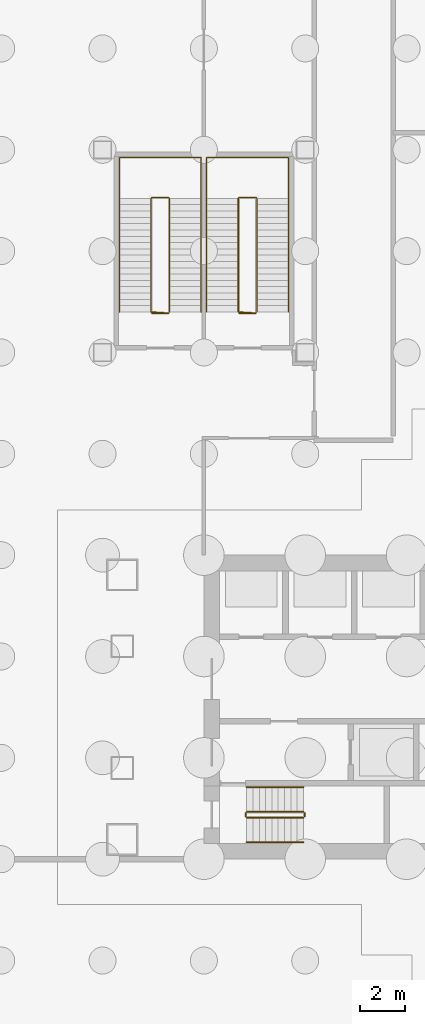
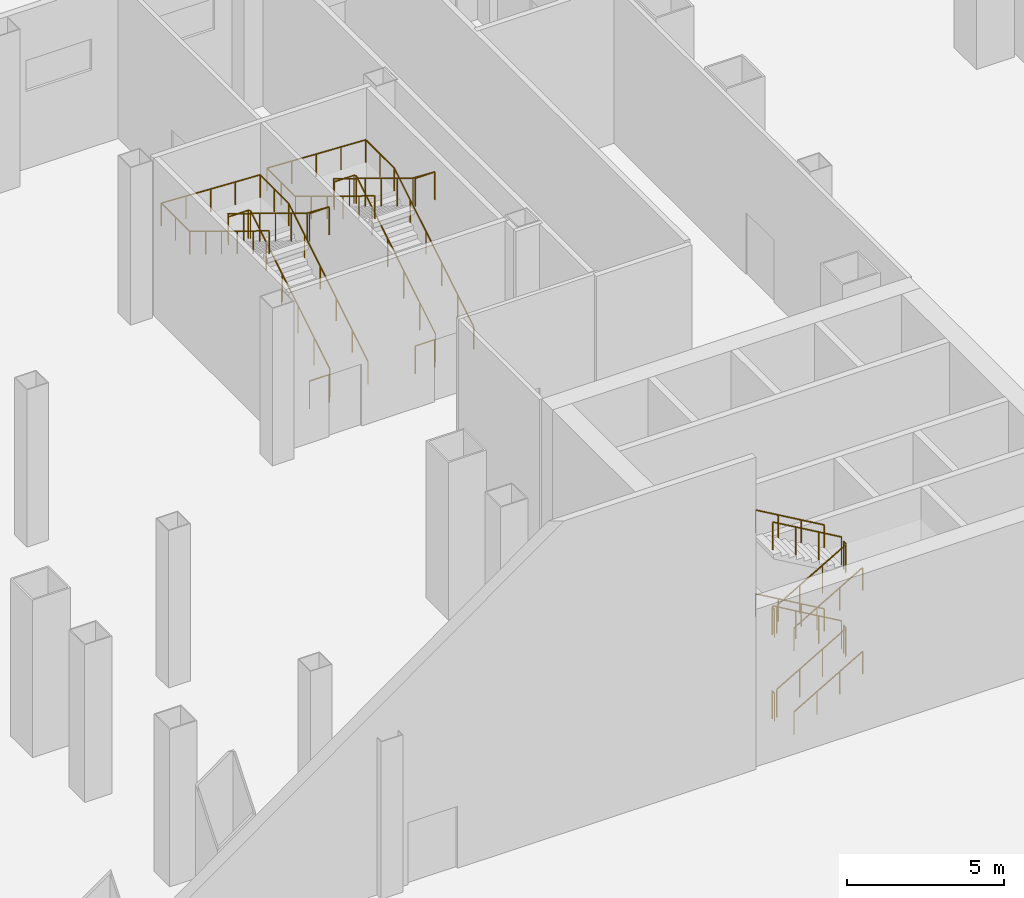
# One storey, part 34 of 37: 18 railings.
"""IFC4 building model written with IfcOpenShell, lengths in metres."""

from ifc_helpers import new_model, si_unit, direction, frame, origin, origin_2d, place, context, subcontext, project, spatial, circle, extrude, material, type_object, element, save


model = new_model("IFC4")

# Units and contexts
model_context = context("Model", 3, precision=1e-05, world=origin(), true_north=direction((0.0, 1.0)))
body_context = subcontext(model_context, "Body", "Model", "MODEL_VIEW")
ifc_project = project(units=[si_unit("LENGTHUNIT", "METRE"), si_unit("AREAUNIT", "SQUARE_METRE"), si_unit("VOLUMEUNIT", "CUBIC_METRE"), si_unit("PLANEANGLEUNIT", "RADIAN"), si_unit("MASSUNIT", "GRAM", prefix="KILO")], contexts=[model_context])

# Site, building, storey
site_placement = place(None, origin())
site = spatial("IfcSite", under=ifc_project, at=site_placement, CompositionType="ELEMENT")
building_placement = place(site_placement, origin())
building = spatial("IfcBuilding", under=site, at=building_placement, Name="Shamsa Quay Exchange Towers", CompositionType="ELEMENT")
storey_placement = place(building_placement, origin())
storey = spatial("IfcBuildingStorey", under=building, at=storey_placement, Name="L00", CompositionType="ELEMENT", Elevation=0.0)

# Railings
ifc_material = material(Name="Stainless steel", Category="steel")
railing_type_1 = type_object("IfcRailingType", Name="STAIR GUARD 1100", PredefinedType="GUARDRAIL", material=ifc_material)
railing_1_placement = place(storey_placement, frame((15.39990234375, -4.89990234375, 0.16259765625)))
element("IfcRailing", 1, at=railing_1_placement, inside=storey, type_object=railing_type_1, Name="L00 ST4 stair guard 1", PredefinedType="GUARDRAIL", context=body_context, shape_type="SweptSolid", body=[
    extrude(circle(Radius=0.02392578125, at=origin_2d()), frame((0.0, 0.0, 1.076171875), z_axis=(0.864913338283, 0.0, 0.50192122615), x_axis=(0.0, 1.0, 0.0)), (0.0, 0.0, 1.0), 2.91357421875),
    extrude(circle(Radius=0.02099609375, at=origin_2d()), origin(), (0.0, 0.0, 1.0), 1.052001953125),
    extrude(circle(Radius=0.02099609375, at=origin_2d()), frame((0.840087890625, 0.0, 0.487548828125)), (0.0, 0.0, 1.0), 1.052001953125),
    extrude(circle(Radius=0.02099609375, at=origin_2d()), frame((1.679931640625, 0.0, 0.974853515625)), (0.0, 0.0, 1.0), 1.052001953125),
    extrude(circle(Radius=0.02099609375, at=origin_2d()), frame((2.52001953125, 0.0, 1.46240234375)), (0.0, 0.0, 1.0), 1.052001953125),
])
railing_2_placement = place(storey_placement, frame((17.969970703125, -4.85009765625, 1.625)))
element("IfcRailing", 2, at=railing_2_placement, inside=storey, type_object=railing_type_1, Name="L00 ST4 stair guard 2", PredefinedType="GUARDRAIL", context=body_context, shape_type="SweptSolid", body=[
    extrude(circle(Radius=0.02392578125, at=origin_2d()), frame((0.0, 0.0, 1.076171875), z_axis=(0.0, 1.0, 0.0), x_axis=(-1.0, 0.0, 0.0)), (0.0, 0.0, 1.0), 0.150146484375),
    extrude(circle(Radius=0.02099609375, at=origin_2d()), origin(), (0.0, 0.0, 1.0), 1.052001953125),
    extrude(circle(Radius=0.02099609375, at=origin_2d()), frame((0.0, 0.150146484375, 0.0)), (0.0, 0.0, 1.0), 1.052001953125),
])
railing_3_placement = place(storey_placement, frame((17.919921875, -4.64990234375, 1.78759765625)))
element("IfcRailing", 3, at=railing_3_placement, inside=storey, type_object=railing_type_1, Name="L00 ST4 stair guard 3", PredefinedType="GUARDRAIL", context=body_context, shape_type="SweptSolid", body=[
    extrude(circle(Radius=0.02392578125, at=origin_2d()), frame((0.0, 0.0, 1.076171875), z_axis=(-0.864913338283, 0.0, 0.50192122615), x_axis=(0.0, -1.0, 0.0)), (0.0, 0.0, 1.0), 2.91357421875),
    extrude(circle(Radius=0.02099609375, at=origin_2d()), origin(), (0.0, 0.0, 1.0), 1.052001953125),
    extrude(circle(Radius=0.02099609375, at=origin_2d()), frame((-0.840087890625, 0.0, 0.487548828125)), (0.0, 0.0, 1.0), 1.052001953125),
    extrude(circle(Radius=0.02099609375, at=origin_2d()), frame((-1.679931640625, 0.0, 0.974853515625)), (0.0, 0.0, 1.0), 1.052001953125),
    extrude(circle(Radius=0.02099609375, at=origin_2d()), frame((-2.52001953125, 0.0, 1.46240234375)), (0.0, 0.0, 1.0), 1.052001953125),
])
railing_4_placement = place(storey_placement, frame((15.35009765625, -4.85009765625, 3.25)))
element("IfcRailing", 4, at=railing_4_placement, inside=storey, type_object=railing_type_1, Name="L00 ST4 stair guard 4", PredefinedType="GUARDRAIL", context=body_context, shape_type="SweptSolid", body=[
    extrude(circle(Radius=0.02392578125, at=origin_2d()), frame((0.0, 0.0, 1.076171875), z_axis=(0.0, 1.0, 0.0), x_axis=(-1.0, 0.0, 0.0)), (0.0, 0.0, 1.0), 0.150146484375),
    extrude(circle(Radius=0.02099609375, at=origin_2d()), origin(), (0.0, 0.0, 1.0), 1.052001953125),
    extrude(circle(Radius=0.02099609375, at=origin_2d()), frame((0.0, 0.150146484375, 0.0)), (0.0, 0.0, 1.0), 1.052001953125),
])
railing_5_placement = place(storey_placement, frame((15.39990234375, -4.89990234375, 3.41259765625)))
element("IfcRailing", 5, at=railing_5_placement, inside=storey, type_object=railing_type_1, Name="L00 ST4 stair guard 5", PredefinedType="GUARDRAIL", context=body_context, shape_type="SweptSolid", body=[
    extrude(circle(Radius=0.02392578125, at=origin_2d()), frame((0.0, 0.0, 1.076171875), z_axis=(0.864913338283, 0.0, 0.50192122615), x_axis=(0.0, 1.0, 0.0)), (0.0, 0.0, 1.0), 2.91357421875),
    extrude(circle(Radius=0.02099609375, at=origin_2d()), origin(), (0.0, 0.0, 1.0), 1.052001953125),
    extrude(circle(Radius=0.02099609375, at=origin_2d()), frame((0.840087890625, 0.0, 0.487548828125)), (0.0, 0.0, 1.0), 1.052001953125),
    extrude(circle(Radius=0.02099609375, at=origin_2d()), frame((1.679931640625, 0.0, 0.974853515625)), (0.0, 0.0, 1.0), 1.052001953125),
    extrude(circle(Radius=0.02099609375, at=origin_2d()), frame((2.52001953125, 0.0, 1.46240234375)), (0.0, 0.0, 1.0), 1.052001953125),
])
railing_6_placement = place(storey_placement, frame((17.969970703125, -4.85009765625, 4.875)))
element("IfcRailing", 6, at=railing_6_placement, inside=storey, type_object=railing_type_1, Name="L00 ST4 stair guard 6", PredefinedType="GUARDRAIL", context=body_context, shape_type="SweptSolid", body=[
    extrude(circle(Radius=0.02392578125, at=origin_2d()), frame((0.0, 0.0, 1.076171875), z_axis=(0.0, 1.0, 0.0), x_axis=(-1.0, 0.0, 0.0)), (0.0, 0.0, 1.0), 0.150146484375),
    extrude(circle(Radius=0.02099609375, at=origin_2d()), origin(), (0.0, 0.0, 1.0), 1.052001953125),
    extrude(circle(Radius=0.02099609375, at=origin_2d()), frame((0.0, 0.150146484375, 0.0)), (0.0, 0.0, 1.0), 1.052001953125),
])
railing_7_placement = place(storey_placement, frame((17.919921875, -4.64990234375, 5.03759765625)))
element("IfcRailing", 7, at=railing_7_placement, inside=storey, type_object=railing_type_1, Name="L00 ST4 stair guard 7", PredefinedType="GUARDRAIL", context=body_context, shape_type="SweptSolid", body=[
    extrude(circle(Radius=0.02392578125, at=origin_2d()), frame((0.0, 0.0, 1.076171875), z_axis=(-0.864913338283, 0.0, 0.50192122615), x_axis=(0.0, -1.0, 0.0)), (0.0, 0.0, 1.0), 2.91357421875),
    extrude(circle(Radius=0.02099609375, at=origin_2d()), origin(), (0.0, 0.0, 1.0), 1.052001953125),
    extrude(circle(Radius=0.02099609375, at=origin_2d()), frame((-0.840087890625, 0.0, 0.487548828125)), (0.0, 0.0, 1.0), 1.052001953125),
    extrude(circle(Radius=0.02099609375, at=origin_2d()), frame((-1.679931640625, 0.0, 0.974853515625)), (0.0, 0.0, 1.0), 1.052001953125),
    extrude(circle(Radius=0.02099609375, at=origin_2d()), frame((-2.52001953125, 0.0, 1.46240234375)), (0.0, 0.0, 1.0), 1.052001953125),
])
railing_8_placement = place(storey_placement, frame((15.35009765625, -4.85009765625, 0.0)))
element("IfcRailing", 8, at=railing_8_placement, inside=storey, type_object=railing_type_1, Name="L00 ST4 stair guard 8", PredefinedType="GUARDRAIL", context=body_context, shape_type="SweptSolid", body=[
    extrude(circle(Radius=0.02392578125, at=origin_2d()), frame((0.0, 0.0, 1.076171875), z_axis=(0.0, 1.0, 0.0), x_axis=(-1.0, 0.0, 0.0)), (0.0, 0.0, 1.0), 0.150146484375),
    extrude(circle(Radius=0.02099609375, at=origin_2d()), origin(), (0.0, 0.0, 1.0), 1.052001953125),
    extrude(circle(Radius=0.02099609375, at=origin_2d()), frame((0.0, 0.150146484375, 0.0)), (0.0, 0.0, 1.0), 1.052001953125),
])
railing_9_placement = place(storey_placement, frame((11.97509765625, 17.550048828125, 0.171142578125)))
element("IfcRailing", 9, at=railing_9_placement, inside=storey, type_object=railing_type_1, Name="L00 PS3A stair guard 1", PredefinedType="GUARDRAIL", context=body_context, shape_type="SweptSolid", body=[
    extrude(circle(Radius=0.02392578125, at=origin_2d()), frame((0.0, 0.0, 1.076171875), z_axis=(0.0, 0.853369698388, 0.521306203564), x_axis=(-1.0, 0.0, 0.0)), (0.0, 0.0, 1.0), 5.906005859375),
    extrude(circle(Radius=0.02392578125, at=origin_2d()), frame((0.0, 5.0400390625, 4.15478515625), z_axis=(-0.708833529934, 0.705375805398, 0.0), x_axis=(-0.705375805398, -0.708833529934, 0.0)), (0.0, 0.0, 1.0), 0.070556640625),
    extrude(circle(Radius=0.02392578125, at=origin_2d()), frame((-0.050048828125, 5.08984375, 4.15478515625), z_axis=(-1.0, 0.0, 0.0), x_axis=(0.0, -1.0, 0.0)), (0.0, 0.0, 1.0), 0.72509765625),
    extrude(circle(Radius=0.02392578125, at=origin_2d()), frame((-0.775146484375, 5.08984375, 4.15478515625), z_axis=(-0.270336121127, -0.269017408341, 0.924417662977), x_axis=(0.705375805398, -0.708833529934, 0.0)), (0.0, 0.0, 1.0), 0.18505859375),
    extrude(circle(Radius=0.02392578125, at=origin_2d()), frame((-0.8251953125, 5.0400390625, 4.326171875), z_axis=(0.0, -0.853369698388, 0.521306203564), x_axis=(1.0, 0.0, 0.0)), (0.0, 0.0, 1.0), 5.906005859375),
    extrude(circle(Radius=0.02392578125, at=origin_2d()), frame((-0.8251953125, 0.0, 7.40478515625), z_axis=(0.997922050633, -0.064432762324, 0.0), x_axis=(0.064432762324, 0.997922050633, 0.0)), (0.0, 0.0, 1.0), 0.77685546875),
    extrude(circle(Radius=0.02392578125, at=origin_2d()), frame((-0.050048828125, -0.050048828125, 7.40478515625), z_axis=(-1.0, 0.0, 0.0), x_axis=(0.0, -1.0, 0.0)), (0.0, 0.0, 1.0), 0.72509765625),
    extrude(circle(Radius=0.02099609375, at=origin_2d()), origin(), (0.0, 0.0, 1.0), 1.052001953125),
    extrude(circle(Radius=0.02099609375, at=origin_2d()), frame((0.0, 1.008056640625, 0.61572265625)), (0.0, 0.0, 1.0), 1.052001953125),
    extrude(circle(Radius=0.02099609375, at=origin_2d()), frame((0.0, 2.01611328125, 1.2314453125)), (0.0, 0.0, 1.0), 1.052001953125),
    extrude(circle(Radius=0.02099609375, at=origin_2d()), frame((0.0, 3.02392578125, 1.847412109375)), (0.0, 0.0, 1.0), 1.052001953125),
    extrude(circle(Radius=0.02099609375, at=origin_2d()), frame((0.0, 4.031982421875, 2.463134765625)), (0.0, 0.0, 1.0), 1.052001953125),
    extrude(circle(Radius=0.02099609375, at=origin_2d()), frame((0.0, 5.0400390625, 3.078857421875)), (0.0, 0.0, 1.0), 1.052001953125),
    extrude(circle(Radius=0.02099609375, at=origin_2d()), frame((-0.050048828125, 5.08984375, 3.078857421875)), (0.0, 0.0, 1.0), 1.052001953125),
    extrude(circle(Radius=0.02099609375, at=origin_2d()), frame((-0.775146484375, 5.08984375, 3.078857421875)), (0.0, 0.0, 1.0), 1.052001953125),
    extrude(circle(Radius=0.02099609375, at=origin_2d()), frame((-0.8251953125, 5.0400390625, 3.25)), (0.0, 0.0, 1.0), 1.052001953125),
    extrude(circle(Radius=0.02099609375, at=origin_2d()), frame((-0.8251953125, 4.031982421875, 3.86572265625)), (0.0, 0.0, 1.0), 1.052001953125),
    extrude(circle(Radius=0.02099609375, at=origin_2d()), frame((-0.8251953125, 3.02392578125, 4.4814453125)), (0.0, 0.0, 1.0), 1.052001953125),
    extrude(circle(Radius=0.02099609375, at=origin_2d()), frame((-0.8251953125, 2.01611328125, 5.097412109375)), (0.0, 0.0, 1.0), 1.052001953125),
    extrude(circle(Radius=0.02099609375, at=origin_2d()), frame((-0.8251953125, 1.008056640625, 5.713134765625)), (0.0, 0.0, 1.0), 1.052001953125),
    extrude(circle(Radius=0.02099609375, at=origin_2d()), frame((-0.8251953125, 0.0, 6.328857421875)), (0.0, 0.0, 1.0), 1.052001953125),
    extrude(circle(Radius=0.02099609375, at=origin_2d()), frame((-0.050048828125, -0.050048828125, 6.328857421875)), (0.0, 0.0, 1.0), 1.052001953125),
    extrude(circle(Radius=0.02099609375, at=origin_2d()), frame((-0.775146484375, -0.050048828125, 6.328857421875)), (0.0, 0.0, 1.0), 1.052001953125),
])
railing_10_placement = place(storey_placement, frame((11.925048828125, 17.5, 0.0)))
element("IfcRailing", 10, at=railing_10_placement, inside=storey, type_object=railing_type_1, Name="L00 PS3A stair guard 2", PredefinedType="GUARDRAIL", context=body_context, shape_type="SweptSolid", body=[
    extrude(circle(Radius=0.02392578125, at=origin_2d()), frame((0.0, 0.0, 1.076171875), z_axis=(-1.0, 0.0, 0.0), x_axis=(0.0, -1.0, 0.0)), (0.0, 0.0, 1.0), 0.72509765625),
    extrude(circle(Radius=0.02099609375, at=origin_2d()), origin(), (0.0, 0.0, 1.0), 1.052001953125),
    extrude(circle(Radius=0.02099609375, at=origin_2d()), frame((-0.72509765625, 0.0, 0.0)), (0.0, 0.0, 1.0), 1.052001953125),
])
railing_11_placement = place(storey_placement, frame((15.85009765625, 17.550048828125, 0.171142578125)))
element("IfcRailing", 11, at=railing_11_placement, inside=storey, type_object=railing_type_1, Name="L00 PS3B stair guard 1", PredefinedType="GUARDRAIL", context=body_context, shape_type="SweptSolid", body=[
    extrude(circle(Radius=0.02392578125, at=origin_2d()), frame((0.0, 0.0, 1.076171875), z_axis=(0.0, 0.853369698388, 0.521306203564), x_axis=(-1.0, 0.0, 0.0)), (0.0, 0.0, 1.0), 5.906005859375),
    extrude(circle(Radius=0.02392578125, at=origin_2d()), frame((0.0, 5.0400390625, 4.15478515625), z_axis=(-0.708833529934, 0.705375805398, 0.0), x_axis=(-0.705375805398, -0.708833529934, 0.0)), (0.0, 0.0, 1.0), 0.070556640625),
    extrude(circle(Radius=0.02392578125, at=origin_2d()), frame((-0.050048828125, 5.08984375, 4.15478515625), z_axis=(-1.0, 0.0, 0.0), x_axis=(0.0, -1.0, 0.0)), (0.0, 0.0, 1.0), 0.72509765625),
    extrude(circle(Radius=0.02392578125, at=origin_2d()), frame((-0.775146484375, 5.08984375, 4.15478515625), z_axis=(-0.270336121127, -0.269017408341, 0.924417662977), x_axis=(0.705375805398, -0.708833529934, 0.0)), (0.0, 0.0, 1.0), 0.18505859375),
    extrude(circle(Radius=0.02392578125, at=origin_2d()), frame((-0.8251953125, 5.0400390625, 4.326171875), z_axis=(0.0, -0.853369698388, 0.521306203564), x_axis=(1.0, 0.0, 0.0)), (0.0, 0.0, 1.0), 5.906005859375),
    extrude(circle(Radius=0.02392578125, at=origin_2d()), frame((-0.8251953125, 0.0, 7.40478515625), z_axis=(0.997922050633, -0.064432762324, 0.0), x_axis=(0.064432762324, 0.997922050633, 0.0)), (0.0, 0.0, 1.0), 0.77685546875),
    extrude(circle(Radius=0.02392578125, at=origin_2d()), frame((-0.050048828125, -0.050048828125, 7.40478515625), z_axis=(-1.0, 0.0, 0.0), x_axis=(0.0, -1.0, 0.0)), (0.0, 0.0, 1.0), 0.72509765625),
    extrude(circle(Radius=0.02099609375, at=origin_2d()), origin(), (0.0, 0.0, 1.0), 1.052001953125),
    extrude(circle(Radius=0.02099609375, at=origin_2d()), frame((0.0, 1.008056640625, 0.61572265625)), (0.0, 0.0, 1.0), 1.052001953125),
    extrude(circle(Radius=0.02099609375, at=origin_2d()), frame((0.0, 2.01611328125, 1.2314453125)), (0.0, 0.0, 1.0), 1.052001953125),
    extrude(circle(Radius=0.02099609375, at=origin_2d()), frame((0.0, 3.02392578125, 1.847412109375)), (0.0, 0.0, 1.0), 1.052001953125),
    extrude(circle(Radius=0.02099609375, at=origin_2d()), frame((0.0, 4.031982421875, 2.463134765625)), (0.0, 0.0, 1.0), 1.052001953125),
    extrude(circle(Radius=0.02099609375, at=origin_2d()), frame((0.0, 5.0400390625, 3.078857421875)), (0.0, 0.0, 1.0), 1.052001953125),
    extrude(circle(Radius=0.02099609375, at=origin_2d()), frame((-0.050048828125, 5.08984375, 3.078857421875)), (0.0, 0.0, 1.0), 1.052001953125),
    extrude(circle(Radius=0.02099609375, at=origin_2d()), frame((-0.775146484375, 5.08984375, 3.078857421875)), (0.0, 0.0, 1.0), 1.052001953125),
    extrude(circle(Radius=0.02099609375, at=origin_2d()), frame((-0.8251953125, 5.0400390625, 3.25)), (0.0, 0.0, 1.0), 1.052001953125),
    extrude(circle(Radius=0.02099609375, at=origin_2d()), frame((-0.8251953125, 4.031982421875, 3.86572265625)), (0.0, 0.0, 1.0), 1.052001953125),
    extrude(circle(Radius=0.02099609375, at=origin_2d()), frame((-0.8251953125, 3.02392578125, 4.4814453125)), (0.0, 0.0, 1.0), 1.052001953125),
    extrude(circle(Radius=0.02099609375, at=origin_2d()), frame((-0.8251953125, 2.01611328125, 5.097412109375)), (0.0, 0.0, 1.0), 1.052001953125),
    extrude(circle(Radius=0.02099609375, at=origin_2d()), frame((-0.8251953125, 1.008056640625, 5.713134765625)), (0.0, 0.0, 1.0), 1.052001953125),
    extrude(circle(Radius=0.02099609375, at=origin_2d()), frame((-0.8251953125, 0.0, 6.328857421875)), (0.0, 0.0, 1.0), 1.052001953125),
    extrude(circle(Radius=0.02099609375, at=origin_2d()), frame((-0.050048828125, -0.050048828125, 6.328857421875)), (0.0, 0.0, 1.0), 1.052001953125),
    extrude(circle(Radius=0.02099609375, at=origin_2d()), frame((-0.775146484375, -0.050048828125, 6.328857421875)), (0.0, 0.0, 1.0), 1.052001953125),
])
railing_12_placement = place(storey_placement, frame((15.800048828125, 17.5, 0.0)))
element("IfcRailing", 12, at=railing_12_placement, inside=storey, type_object=railing_type_1, Name="L00 PS3B stair guard 2", PredefinedType="GUARDRAIL", context=body_context, shape_type="SweptSolid", body=[
    extrude(circle(Radius=0.02392578125, at=origin_2d()), frame((0.0, 0.0, 1.076171875), z_axis=(-1.0, 0.0, 0.0), x_axis=(0.0, -1.0, 0.0)), (0.0, 0.0, 1.0), 0.72509765625),
    extrude(circle(Radius=0.02099609375, at=origin_2d()), origin(), (0.0, 0.0, 1.0), 1.052001953125),
    extrude(circle(Radius=0.02099609375, at=origin_2d()), frame((-0.72509765625, 0.0, 0.0)), (0.0, 0.0, 1.0), 1.052001953125),
])
railing_type_2 = type_object("IfcRailingType", Name="STAIR HANDRAIL 900", PredefinedType="HANDRAIL", material=ifc_material)
railing_13_placement = place(storey_placement, frame((15.39990234375, -6.0, 0.16259765625)))
element("IfcRailing", 13, at=railing_13_placement, inside=storey, type_object=railing_type_2, Name="L00 ST4 stair handrail 1", PredefinedType="HANDRAIL", context=body_context, shape_type="SweptSolid", body=[
    extrude(circle(Radius=0.02392578125, at=origin_2d()), frame((0.0, 0.0, 0.8759765625), z_axis=(0.864913338283, 0.0, 0.50192122615), x_axis=(0.0, 1.0, 0.0)), (0.0, 0.0, 1.0), 2.91357421875),
    extrude(circle(Radius=0.02099609375, at=origin_2d()), origin(), (0.0, 0.0, 1.0), 0.851806640625),
    extrude(circle(Radius=0.02099609375, at=origin_2d()), frame((0.840087890625, 0.0, 0.487548828125)), (0.0, 0.0, 1.0), 0.851806640625),
    extrude(circle(Radius=0.02099609375, at=origin_2d()), frame((1.679931640625, 0.0, 0.974853515625)), (0.0, 0.0, 1.0), 0.851806640625),
    extrude(circle(Radius=0.02099609375, at=origin_2d()), frame((2.52001953125, 0.0, 1.46240234375)), (0.0, 0.0, 1.0), 0.851806640625),
])
railing_14_placement = place(storey_placement, frame((17.919921875, -3.550048828125, 1.78759765625)))
element("IfcRailing", 14, at=railing_14_placement, inside=storey, type_object=railing_type_2, Name="L00 ST4 stair handrail 2", PredefinedType="HANDRAIL", context=body_context, shape_type="SweptSolid", body=[
    extrude(circle(Radius=0.02392578125, at=origin_2d()), frame((0.0, 0.0, 0.8759765625), z_axis=(-0.864913338283, 0.0, 0.50192122615), x_axis=(0.0, -1.0, 0.0)), (0.0, 0.0, 1.0), 2.91357421875),
    extrude(circle(Radius=0.02099609375, at=origin_2d()), origin(), (0.0, 0.0, 1.0), 0.851806640625),
    extrude(circle(Radius=0.02099609375, at=origin_2d()), frame((-0.840087890625, 0.0, 0.487548828125)), (0.0, 0.0, 1.0), 0.851806640625),
    extrude(circle(Radius=0.02099609375, at=origin_2d()), frame((-1.679931640625, 0.0, 0.974853515625)), (0.0, 0.0, 1.0), 0.851806640625),
    extrude(circle(Radius=0.02099609375, at=origin_2d()), frame((-2.52001953125, 0.0, 1.46240234375)), (0.0, 0.0, 1.0), 0.851806640625),
])
railing_15_placement = place(storey_placement, frame((15.39990234375, -6.0, 3.41259765625)))
element("IfcRailing", 15, at=railing_15_placement, inside=storey, type_object=railing_type_2, Name="L00 ST4 stair handrail 3", PredefinedType="HANDRAIL", context=body_context, shape_type="SweptSolid", body=[
    extrude(circle(Radius=0.02392578125, at=origin_2d()), frame((0.0, 0.0, 0.8759765625), z_axis=(0.864913338283, 0.0, 0.50192122615), x_axis=(0.0, 1.0, 0.0)), (0.0, 0.0, 1.0), 2.91357421875),
    extrude(circle(Radius=0.02099609375, at=origin_2d()), origin(), (0.0, 0.0, 1.0), 0.851806640625),
    extrude(circle(Radius=0.02099609375, at=origin_2d()), frame((0.840087890625, 0.0, 0.487548828125)), (0.0, 0.0, 1.0), 0.851806640625),
    extrude(circle(Radius=0.02099609375, at=origin_2d()), frame((1.679931640625, 0.0, 0.974853515625)), (0.0, 0.0, 1.0), 0.851806640625),
    extrude(circle(Radius=0.02099609375, at=origin_2d()), frame((2.52001953125, 0.0, 1.46240234375)), (0.0, 0.0, 1.0), 0.851806640625),
])
railing_16_placement = place(storey_placement, frame((17.919921875, -3.550048828125, 5.03759765625)))
element("IfcRailing", 16, at=railing_16_placement, inside=storey, type_object=railing_type_2, Name="L00 ST4 stair handrail 4", PredefinedType="HANDRAIL", context=body_context, shape_type="SweptSolid", body=[
    extrude(circle(Radius=0.02392578125, at=origin_2d()), frame((0.0, 0.0, 0.8759765625), z_axis=(-0.864913338283, 0.0, 0.50192122615), x_axis=(0.0, -1.0, 0.0)), (0.0, 0.0, 1.0), 2.91357421875),
    extrude(circle(Radius=0.02099609375, at=origin_2d()), origin(), (0.0, 0.0, 1.0), 0.851806640625),
    extrude(circle(Radius=0.02099609375, at=origin_2d()), frame((-0.840087890625, 0.0, 0.487548828125)), (0.0, 0.0, 1.0), 0.851806640625),
    extrude(circle(Radius=0.02099609375, at=origin_2d()), frame((-1.679931640625, 0.0, 0.974853515625)), (0.0, 0.0, 1.0), 0.851806640625),
    extrude(circle(Radius=0.02099609375, at=origin_2d()), frame((-2.52001953125, 0.0, 1.46240234375)), (0.0, 0.0, 1.0), 0.851806640625),
])
railing_17_placement = place(storey_placement, frame((13.375, 17.550048828125, 0.171142578125)))
element("IfcRailing", 17, at=railing_17_placement, inside=storey, type_object=railing_type_2, Name="L00 PS3A stair handrail 1", PredefinedType="HANDRAIL", context=body_context, shape_type="SweptSolid", body=[
    extrude(circle(Radius=0.02392578125, at=origin_2d()), frame((0.0, 0.0, 0.8759765625), z_axis=(0.0, 0.853369698388, 0.521306203564), x_axis=(-1.0, 0.0, 0.0)), (0.0, 0.0, 1.0), 5.906005859375),
    extrude(circle(Radius=0.02392578125, at=origin_2d()), frame((0.0, 5.0400390625, 3.95458984375), z_axis=(0.0, 1.0, 0.0), x_axis=(-1.0, 0.0, 0.0)), (0.0, 0.0, 1.0), 1.809814453125),
    extrude(circle(Radius=0.02392578125, at=origin_2d()), frame((0.0, 6.849853515625, 3.95458984375), z_axis=(-0.998887385161, 0.0, 0.047159217201), x_axis=(0.0, -1.0, 0.0)), (0.0, 0.0, 1.0), 3.629150390625),
    extrude(circle(Radius=0.02392578125, at=origin_2d()), frame((-3.625, 6.849853515625, 4.1259765625), z_axis=(0.0, -1.0, 0.0), x_axis=(1.0, 0.0, 0.0)), (0.0, 0.0, 1.0), 1.809814453125),
    extrude(circle(Radius=0.02392578125, at=origin_2d()), frame((-3.625, 5.0400390625, 4.1259765625), z_axis=(0.0, -0.853369698388, 0.521306203564), x_axis=(1.0, 0.0, 0.0)), (0.0, 0.0, 1.0), 5.906005859375),
    extrude(circle(Radius=0.02099609375, at=origin_2d()), origin(), (0.0, 0.0, 1.0), 0.851806640625),
    extrude(circle(Radius=0.02099609375, at=origin_2d()), frame((0.0, 1.008056640625, 0.61572265625)), (0.0, 0.0, 1.0), 0.851806640625),
    extrude(circle(Radius=0.02099609375, at=origin_2d()), frame((0.0, 2.01611328125, 1.2314453125)), (0.0, 0.0, 1.0), 0.851806640625),
    extrude(circle(Radius=0.02099609375, at=origin_2d()), frame((0.0, 3.02392578125, 1.847412109375)), (0.0, 0.0, 1.0), 0.851806640625),
    extrude(circle(Radius=0.02099609375, at=origin_2d()), frame((0.0, 4.031982421875, 2.463134765625)), (0.0, 0.0, 1.0), 0.851806640625),
    extrude(circle(Radius=0.02099609375, at=origin_2d()), frame((0.0, 5.0400390625, 3.078857421875)), (0.0, 0.0, 1.0), 0.851806640625),
    extrude(circle(Radius=0.02099609375, at=origin_2d()), frame((0.0, 5.94482421875, 3.078857421875)), (0.0, 0.0, 1.0), 0.851806640625),
    extrude(circle(Radius=0.02099609375, at=origin_2d()), frame((0.0, 6.849853515625, 3.078857421875)), (0.0, 0.0, 1.0), 0.851806640625),
    extrude(circle(Radius=0.02099609375, at=origin_2d()), frame((-0.90625, 6.849853515625, 3.12158203125)), (0.0, 0.0, 1.0), 0.851806640625),
    extrude(circle(Radius=0.02099609375, at=origin_2d()), frame((-1.8125, 6.849853515625, 3.16455078125)), (0.0, 0.0, 1.0), 0.851806640625),
    extrude(circle(Radius=0.02099609375, at=origin_2d()), frame((-2.71875, 6.849853515625, 3.207275390625)), (0.0, 0.0, 1.0), 0.851806640625),
    extrude(circle(Radius=0.02099609375, at=origin_2d()), frame((-3.625, 6.849853515625, 3.25)), (0.0, 0.0, 1.0), 0.851806640625),
    extrude(circle(Radius=0.02099609375, at=origin_2d()), frame((-3.625, 5.94482421875, 3.25)), (0.0, 0.0, 1.0), 0.851806640625),
    extrude(circle(Radius=0.02099609375, at=origin_2d()), frame((-3.625, 5.0400390625, 3.25)), (0.0, 0.0, 1.0), 0.851806640625),
    extrude(circle(Radius=0.02099609375, at=origin_2d()), frame((-3.625, 4.031982421875, 3.86572265625)), (0.0, 0.0, 1.0), 0.851806640625),
    extrude(circle(Radius=0.02099609375, at=origin_2d()), frame((-3.625, 3.02392578125, 4.4814453125)), (0.0, 0.0, 1.0), 0.851806640625),
    extrude(circle(Radius=0.02099609375, at=origin_2d()), frame((-3.625, 2.01611328125, 5.097412109375)), (0.0, 0.0, 1.0), 0.851806640625),
    extrude(circle(Radius=0.02099609375, at=origin_2d()), frame((-3.625, 1.008056640625, 5.713134765625)), (0.0, 0.0, 1.0), 0.851806640625),
    extrude(circle(Radius=0.02099609375, at=origin_2d()), frame((-3.625, 0.0, 6.328857421875)), (0.0, 0.0, 1.0), 0.851806640625),
])
railing_18_placement = place(storey_placement, frame((17.25, 17.550048828125, 0.171142578125)))
element("IfcRailing", 18, at=railing_18_placement, inside=storey, type_object=railing_type_2, Name="L00 PS3B stair handrail 1", PredefinedType="HANDRAIL", context=body_context, shape_type="SweptSolid", body=[
    extrude(circle(Radius=0.02392578125, at=origin_2d()), frame((0.0, 0.0, 0.8759765625), z_axis=(0.0, 0.853369698388, 0.521306203564), x_axis=(-1.0, 0.0, 0.0)), (0.0, 0.0, 1.0), 5.906005859375),
    extrude(circle(Radius=0.02392578125, at=origin_2d()), frame((0.0, 5.0400390625, 3.95458984375), z_axis=(0.0, 1.0, 0.0), x_axis=(-1.0, 0.0, 0.0)), (0.0, 0.0, 1.0), 1.809814453125),
    extrude(circle(Radius=0.02392578125, at=origin_2d()), frame((0.0, 6.849853515625, 3.95458984375), z_axis=(-0.998887385161, 0.0, 0.047159217201), x_axis=(0.0, -1.0, 0.0)), (0.0, 0.0, 1.0), 3.629150390625),
    extrude(circle(Radius=0.02392578125, at=origin_2d()), frame((-3.625, 6.849853515625, 4.1259765625), z_axis=(0.0, -1.0, 0.0), x_axis=(1.0, 0.0, 0.0)), (0.0, 0.0, 1.0), 1.809814453125),
    extrude(circle(Radius=0.02392578125, at=origin_2d()), frame((-3.625, 5.0400390625, 4.1259765625), z_axis=(0.0, -0.853369698388, 0.521306203564), x_axis=(1.0, 0.0, 0.0)), (0.0, 0.0, 1.0), 5.906005859375),
    extrude(circle(Radius=0.02099609375, at=origin_2d()), origin(), (0.0, 0.0, 1.0), 0.851806640625),
    extrude(circle(Radius=0.02099609375, at=origin_2d()), frame((0.0, 1.008056640625, 0.61572265625)), (0.0, 0.0, 1.0), 0.851806640625),
    extrude(circle(Radius=0.02099609375, at=origin_2d()), frame((0.0, 2.01611328125, 1.2314453125)), (0.0, 0.0, 1.0), 0.851806640625),
    extrude(circle(Radius=0.02099609375, at=origin_2d()), frame((0.0, 3.02392578125, 1.847412109375)), (0.0, 0.0, 1.0), 0.851806640625),
    extrude(circle(Radius=0.02099609375, at=origin_2d()), frame((0.0, 4.031982421875, 2.463134765625)), (0.0, 0.0, 1.0), 0.851806640625),
    extrude(circle(Radius=0.02099609375, at=origin_2d()), frame((0.0, 5.0400390625, 3.078857421875)), (0.0, 0.0, 1.0), 0.851806640625),
    extrude(circle(Radius=0.02099609375, at=origin_2d()), frame((0.0, 5.94482421875, 3.078857421875)), (0.0, 0.0, 1.0), 0.851806640625),
    extrude(circle(Radius=0.02099609375, at=origin_2d()), frame((0.0, 6.849853515625, 3.078857421875)), (0.0, 0.0, 1.0), 0.851806640625),
    extrude(circle(Radius=0.02099609375, at=origin_2d()), frame((-0.90625, 6.849853515625, 3.12158203125)), (0.0, 0.0, 1.0), 0.851806640625),
    extrude(circle(Radius=0.02099609375, at=origin_2d()), frame((-1.8125, 6.849853515625, 3.16455078125)), (0.0, 0.0, 1.0), 0.851806640625),
    extrude(circle(Radius=0.02099609375, at=origin_2d()), frame((-2.71875, 6.849853515625, 3.207275390625)), (0.0, 0.0, 1.0), 0.851806640625),
    extrude(circle(Radius=0.02099609375, at=origin_2d()), frame((-3.625, 6.849853515625, 3.25)), (0.0, 0.0, 1.0), 0.851806640625),
    extrude(circle(Radius=0.02099609375, at=origin_2d()), frame((-3.625, 5.94482421875, 3.25)), (0.0, 0.0, 1.0), 0.851806640625),
    extrude(circle(Radius=0.02099609375, at=origin_2d()), frame((-3.625, 5.0400390625, 3.25)), (0.0, 0.0, 1.0), 0.851806640625),
    extrude(circle(Radius=0.02099609375, at=origin_2d()), frame((-3.625, 4.031982421875, 3.86572265625)), (0.0, 0.0, 1.0), 0.851806640625),
    extrude(circle(Radius=0.02099609375, at=origin_2d()), frame((-3.625, 3.02392578125, 4.4814453125)), (0.0, 0.0, 1.0), 0.851806640625),
    extrude(circle(Radius=0.02099609375, at=origin_2d()), frame((-3.625, 2.01611328125, 5.097412109375)), (0.0, 0.0, 1.0), 0.851806640625),
    extrude(circle(Radius=0.02099609375, at=origin_2d()), frame((-3.625, 1.008056640625, 5.713134765625)), (0.0, 0.0, 1.0), 0.851806640625),
    extrude(circle(Radius=0.02099609375, at=origin_2d()), frame((-3.625, 0.0, 6.328857421875)), (0.0, 0.0, 1.0), 0.851806640625),
])

save(model, "model.ifc")
